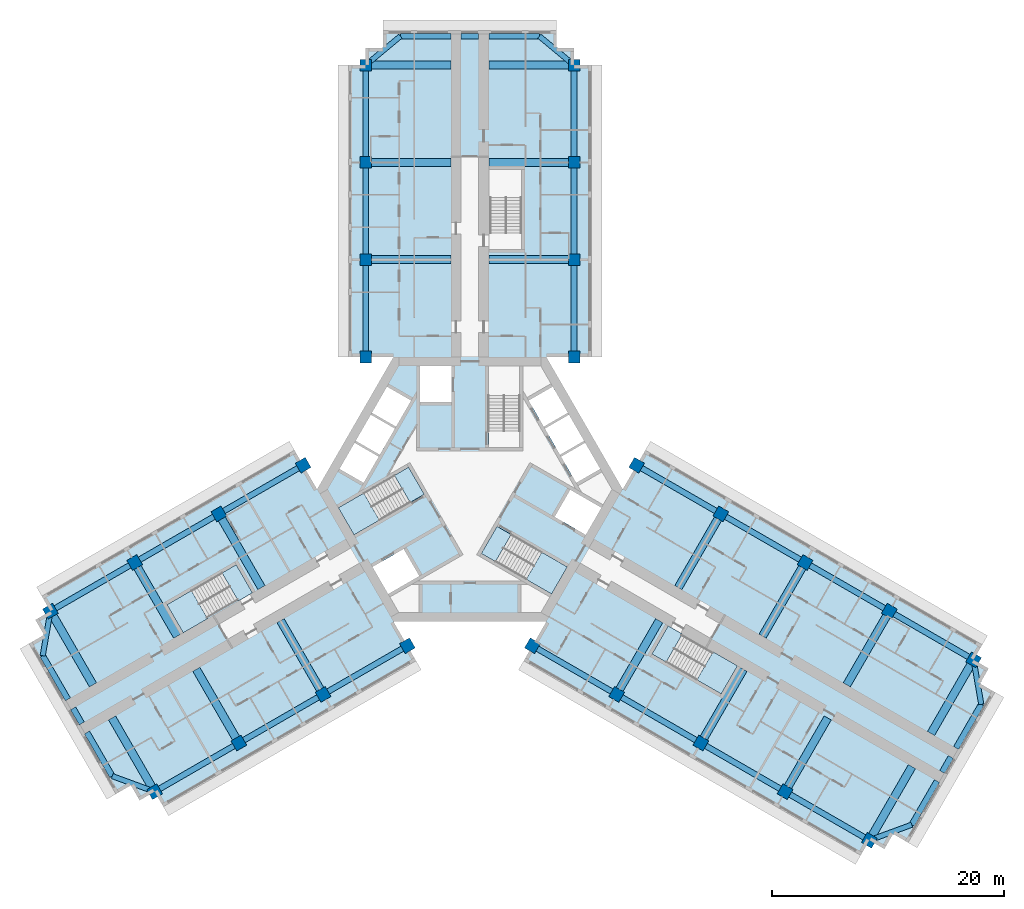
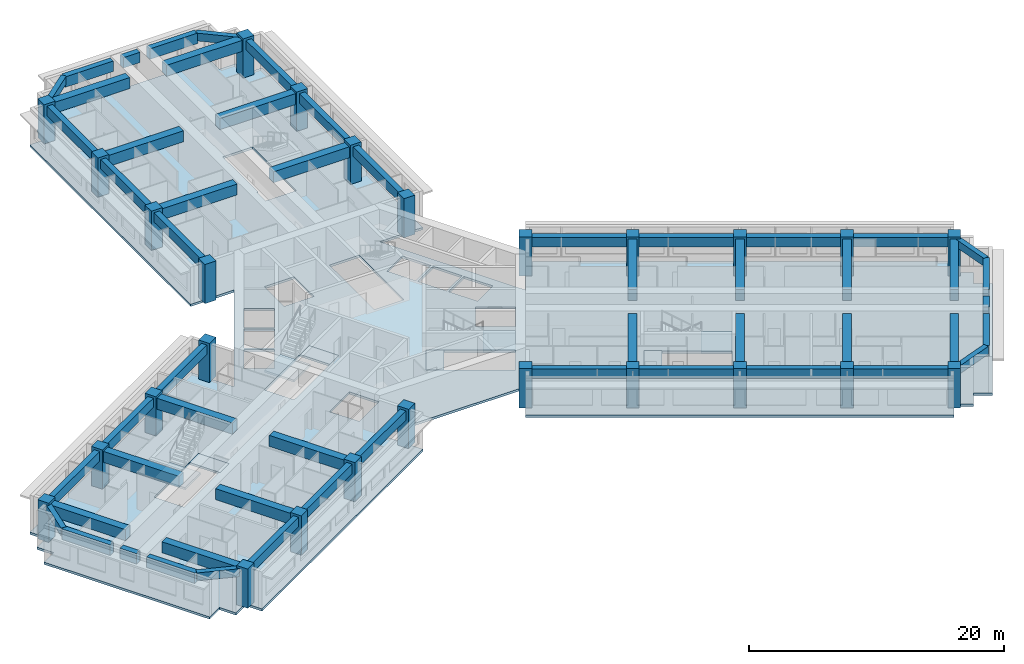
# One storey, part 1 of 13: 55 beams, 26 columns, 9 slabs, 4 elements without a shape of their own.
"""IFC4 building model written with IfcOpenShell, lengths in metres."""

from ifc_helpers import new_model, si_unit, direction, frame, origin, origin_2d, place, context, subcontext, project, spatial, polyline, rectangle, outline, extrude, material, layer, layer_set, material_profile, profile_set, type_object, element, aggregate, save


model = new_model("IFC4")

# Units and contexts
model_context = context("Model", 3, precision=1e-05, world=origin(), true_north=direction((0.0, 1.0)))
body_context = subcontext(model_context, "Body", "Model", "MODEL_VIEW")
ifc_project = project(units=[si_unit("LENGTHUNIT", "METRE"), si_unit("AREAUNIT", "SQUARE_METRE"), si_unit("VOLUMEUNIT", "CUBIC_METRE"), si_unit("PLANEANGLEUNIT", "RADIAN"), si_unit("MASSUNIT", "GRAM", prefix="KILO")], contexts=[model_context])

# Site, building, storey
site_placement = place(None, origin())
site = spatial("IfcSite", under=ifc_project, at=site_placement, CompositionType="ELEMENT")
building_placement = place(site_placement, origin())
building = spatial("IfcBuilding", under=site, at=building_placement, Name="Impinga Residences", CompositionType="ELEMENT")
storey_placement = place(building_placement, frame((0.0, 0.0, 151.0)))
storey = spatial("IfcBuildingStorey", under=building, at=storey_placement, Name="L37", CompositionType="ELEMENT", Elevation=151.0)

# Columns
ifc_material_1 = material(Name="Concrete C60/75", Category="concrete")
ifc_material_profile_1 = material_profile(ifc_material_1, rectangle(XDim=1.0, YDim=1.0, at=origin_2d()), Name="RC 1000x1000")
ifc_profile_set_1 = profile_set([ifc_material_profile_1], Name="Concrete C60/75")
column_type = type_object("IfcColumnType", Name="C3 1000x1000 column", PredefinedType="COLUMN", material=ifc_profile_set_1)
for number, where, z_axis, x_axis, name in (
    (1, (-9.0, 11.431640625, 0.0), (0.0, 0.0, 1.0), (1.0, 0.0, 0.0), "Column C3 N1/NA L37"),
    (2, (9.0, 11.431640625, 0.0), (0.0, 0.0, 1.0), (1.0, 0.0, 0.0), "Column C3 N1/NF L37"),
    (3, (-9.0, 19.83154296875, 0.0), (0.0, 0.0, 1.0), (1.0, 0.0, 0.0), "Column C3 N2/NA L37"),
    (4, (9.0, 19.83154296875, 0.0), (0.0, 0.0, 1.0), (1.0, 0.0, 0.0), "Column C3 N2/NF L37"),
    (5, (-9.0, 28.2314453125, 0.0), (0.0, 0.0, 1.0), (1.0, 0.0, 0.0), "Column C3 N3/NA L37"),
    (6, (9.0, 28.2314453125, 0.0), (0.0, 0.0, 1.0), (1.0, 0.0, 0.0), "Column C3 N3/NF L37"),
    (7, (-9.0, 36.631591796875, 0.0), (0.0, 0.0, 1.0), (1.0, 0.0, 0.0), "Column C3 N4/NA L37"),
    (8, (9.0, 36.631591796875, 0.0), (0.0, 0.0, 1.0), (1.0, 0.0, 0.0), "Column C3 N4/NF L37"),
    (9, (-5.39990234375, -13.510009765625, 0.0), (0.0, 0.0, 1.0), (-0.5, 0.866025403784, 0.0), "Column C3 W1/WA L37"),
    (10, (-14.39990234375, 2.078369140625, 0.0), (0.0, 0.0, 1.0), (-0.5, 0.866025403784, 0.0), "Column C3 W1/WF L37"),
    (11, (-12.674560546875, -17.7099609375, 0.0), (0.0, 0.0, 1.0), (-0.5, 0.866025403784, 0.0), "Column C3 W2/WA L37"),
    (12, (-21.674560546875, -2.12158203125, 0.0), (0.0, 0.0, 1.0), (-0.5, 0.866025403784, 0.0), "Column C3 W2/WF L37"),
    (13, (-19.94921875, -21.909912109375, 0.0), (0.0, 0.0, 1.0), (-0.5, 0.866025403784, 0.0), "Column C3 W3/WA L37"),
    (14, (-28.94921875, -6.321533203125, 0.0), (0.0, 0.0, 1.0), (-0.5, 0.866025403784, 0.0), "Column C3 W3/WF L37"),
    (15, (-27.223876953125, -26.110107421875, 0.0), (0.0, 0.0, 1.0), (-0.5, 0.866025403784, 0.0), "Column C3 W4/WA L37"),
    (16, (-36.223876953125, -10.521484375, 0.0), (0.0, 0.0, 1.0), (-0.5, 0.866025403784, 0.0), "Column C3 W4/WF L37"),
    (17, (14.39990234375, 2.078369140625, 0.0), (0.0, 0.0, 1.0), (-0.5, -0.866025403784, 0.0), "Column C3 E1/EA L37"),
    (18, (5.39990234375, -13.510009765625, 0.0), (0.0, 0.0, 1.0), (-0.5, -0.866025403784, 0.0), "Column C3 E1/EF L37"),
    (19, (21.674560546875, -2.12158203125, 0.0), (0.0, 0.0, 1.0), (-0.5, -0.866025403784, 0.0), "Column C3 E2/EA L37"),
    (20, (12.674560546875, -17.7099609375, 0.0), (0.0, 0.0, 1.0), (-0.5, -0.866025403784, 0.0), "Column C3 E2/EF L37"),
    (21, (28.94921875, -6.321533203125, 0.0), (0.0, 0.0, 1.0), (-0.5, -0.866025403784, 0.0), "Column C3 E3/EA L37"),
    (22, (19.94921875, -21.909912109375, 0.0), (0.0, 0.0, 1.0), (-0.5, -0.866025403784, 0.0), "Column C3 E3/EF L37"),
    (23, (36.223876953125, -10.521484375, 0.0), (0.0, 0.0, 1.0), (-0.5, -0.866025403784, 0.0), "Column C3 E4/EA L37"),
    (24, (27.223876953125, -26.110107421875, 0.0), (0.0, 0.0, 1.0), (-0.5, -0.866025403784, 0.0), "Column C3 E4/EF L37"),
    (25, (43.49853515625, -14.721435546875, 0.0), (0.0, 0.0, 1.0), (-0.5, -0.866025403784, 0.0), "Column C3 E5/EA L37"),
    (26, (34.49853515625, -30.31005859375, 0.0), (0.0, 0.0, 1.0), (-0.5, -0.866025403784, 0.0), "Column C3 E5/EF L37"),
):
    element("IfcColumn", number, at=place(storey_placement, frame(where, z_axis=z_axis, x_axis=x_axis)), inside=storey, type_object=column_type, Name=name, PredefinedType="COLUMN", context=body_context, shape_type="SweptSolid", body=[
        extrude(rectangle(XDim=1.0, YDim=1.0, at=origin_2d()), origin(), (0.0, 0.0, 1.0), 3.75),
    ])

# Beams
ifc_material_profile_2 = material_profile(ifc_material_1, rectangle(XDim=0.449951171875, YDim=0.75, at=origin_2d()), Name="RC 450x750")
ifc_profile_set_2 = profile_set([ifc_material_profile_2], Name="Concrete C60/75")
beam_type_1 = type_object("IfcBeamType", Name="CB1 450x750 wing end cantilever beam", PredefinedType="BEAM", material=ifc_profile_set_2)
for number, where, z_axis, x_axis, name in (
    (27, (-9.0, 36.631591796875, 3.155029296875), (0.768221279597, 0.640184399664, 0.0), (-0.640184399664, 0.768221279597, 0.0), "Beam CB1 NB N4-NX level L38"),
    (28, (9.0, 36.631591796875, 3.155029296875), (-0.768221279597, 0.640184399664, 0.0), (-0.640184399664, -0.768221279597, 0.0), "Beam CB1 NE N4-NX level L38"),
    (29, (-27.223876953125, -26.110107421875, 3.155029296875), (-0.938520178725, 0.345224382289, 0.0), (-0.345224382289, -0.938520178725, 0.0), "Beam CB1 WB W4-WX level L38"),
):
    element("IfcBeam", number, at=place(storey_placement, frame(where, z_axis=z_axis, x_axis=x_axis)), inside=storey, type_object=beam_type_1, Name=name, PredefinedType="BEAM", context=body_context, shape_type="SweptSolid", body=[
        extrude(rectangle(XDim=0.449951171875, YDim=0.75, at=origin_2d()), origin(), (0.0, 0.0, 1.0), 3.905029296875),
    ])
for number, where, z_axis, x_axis, name in (
    (30, (-36.223876953125, -10.521484375, 3.155029296875), (-0.170296298948, -0.985392901621, 0.0), (0.985392901621, -0.170296298948, 0.0), "Beam CB1 WE W4-WX level L38"),
    (31, (43.49853515625, -14.721435546875, 3.155029296875), (0.170296298948, -0.985392901621, 0.0), (0.985392901621, 0.170296298948, 0.0), "Beam CB1 EB E5-EX level L38"),
):
    element("IfcBeam", number, at=place(storey_placement, frame(where, z_axis=z_axis, x_axis=x_axis)), inside=storey, type_object=beam_type_1, Name=name, PredefinedType="BEAM", context=body_context, shape_type="SweptSolid", body=[
        extrude(rectangle(XDim=0.449951171875, YDim=0.75, at=origin_2d()), origin(), (0.0, 0.0, 1.0), 3.9052734375),
    ])
beam_1_placement = place(storey_placement, frame((34.49853515625, -30.31005859375, 3.155029296875), z_axis=(0.938520178725, 0.345224382289, 0.0), x_axis=(-0.345224382289, 0.938520178725, 0.0)))
element("IfcBeam", 32, at=beam_1_placement, inside=storey, type_object=beam_type_1, Name="Beam CB1 EE E5-EX level L38", PredefinedType="BEAM", context=body_context, shape_type="SweptSolid", body=[
    extrude(rectangle(XDim=0.449951171875, YDim=0.75, at=origin_2d()), origin(), (0.0, 0.0, 1.0), 3.905029296875),
])
ifc_material_profile_3 = material_profile(ifc_material_1, rectangle(XDim=0.699951171875, YDim=1.050048828125, at=origin_2d()), Name="RC 700x1050")
ifc_profile_set_3 = profile_set([ifc_material_profile_3], Name="Concrete C60/75")
beam_type_2 = type_object("IfcBeamType", Name="CG1 700x1050 cross girder on a wing bay line", PredefinedType="BEAM", material=ifc_profile_set_3)
for number, where, z_axis, x_axis, name in (
    (33, (-1.64990234375, 19.83154296875, 3.0048828125), (-1.0, 0.0, 0.0), (0.0, -1.0, 0.0), "Beam CG1 N2 NC/NA level L38"),
    (34, (-1.64990234375, 28.2314453125, 3.0048828125), (-1.0, 0.0, 0.0), (0.0, -1.0, 0.0), "Beam CG1 N3 NC/NA level L38"),
    (35, (-1.64990234375, 36.631591796875, 3.0048828125), (-1.0, 0.0, 0.0), (0.0, -1.0, 0.0), "Beam CG1 N4 NC/NA level L38"),
    (36, (1.64990234375, 19.83154296875, 3.0048828125), (1.0, 0.0, 0.0), (0.0, 1.0, 0.0), "Beam CG1 N2 NC/NF level L38"),
    (37, (1.64990234375, 28.2314453125, 3.0048828125), (1.0, 0.0, 0.0), (0.0, 1.0, 0.0), "Beam CG1 N3 NC/NF level L38"),
    (38, (1.64990234375, 36.631591796875, 3.0048828125), (1.0, 0.0, 0.0), (0.0, 1.0, 0.0), "Beam CG1 N4 NC/NF level L38"),
    (39, (-16.349609375, -11.3447265625, 3.0048828125), (0.500008066151, -0.86602074674, 0.0), (0.86602074674, 0.500008066151, 0.0), "Beam CG1 W2 WC/WA level L38"),
    (40, (-23.624267578125, -15.544677734375, 3.0048828125), (0.500008066151, -0.86602074674, 0.0), (0.86602074674, 0.500008066151, 0.0), "Beam CG1 W3 WC/WA level L38"),
    (41, (-30.89892578125, -19.74462890625, 3.0048828125), (0.499993683172, -0.866029050776, 0.0), (0.866029050776, 0.499993683172, 0.0), "Beam CG1 W4 WC/WA level L38"),
    (42, (-17.99951171875, -8.48681640625, 3.0048828125), (-0.500008066151, 0.86602074674, 0.0), (-0.86602074674, -0.500008066151, 0.0), "Beam CG1 W2 WC/WF level L38"),
    (43, (-25.274169921875, -12.686767578125, 3.0048828125), (-0.500008066151, 0.86602074674, 0.0), (-0.86602074674, -0.500008066151, 0.0), "Beam CG1 W3 WC/WF level L38"),
    (44, (-32.548828125, -16.88671875, 3.0048828125), (-0.500008066151, 0.86602074674, 0.0), (-0.86602074674, -0.500008066151, 0.0), "Beam CG1 W4 WC/WF level L38"),
    (45, (17.99951171875, -8.48681640625, 3.0048828125), (0.500008066151, 0.86602074674, 0.0), (-0.86602074674, 0.500008066151, 0.0), "Beam CG1 E2 EC/EA level L38"),
    (46, (25.274169921875, -12.686767578125, 3.0048828125), (0.500008066151, 0.86602074674, 0.0), (-0.86602074674, 0.500008066151, 0.0), "Beam CG1 E3 EC/EA level L38"),
    (47, (32.548828125, -16.88671875, 3.0048828125), (0.500008066151, 0.86602074674, 0.0), (-0.86602074674, 0.500008066151, 0.0), "Beam CG1 E4 EC/EA level L38"),
    (48, (39.823486328125, -21.0869140625, 3.0048828125), (0.499993683172, 0.866029050776, 0.0), (-0.866029050776, 0.499993683172, 0.0), "Beam CG1 E5 EC/EA level L38"),
    (49, (16.349609375, -11.3447265625, 3.0048828125), (-0.500008066151, -0.86602074674, 0.0), (0.86602074674, -0.500008066151, 0.0), "Beam CG1 E2 EC/EF level L38"),
    (50, (23.624267578125, -15.544677734375, 3.0048828125), (-0.500008066151, -0.86602074674, 0.0), (0.86602074674, -0.500008066151, 0.0), "Beam CG1 E3 EC/EF level L38"),
    (51, (30.89892578125, -19.74462890625, 3.0048828125), (-0.499993683172, -0.866029050776, 0.0), (0.866029050776, -0.499993683172, 0.0), "Beam CG1 E4 EC/EF level L38"),
):
    element("IfcBeam", number, at=place(storey_placement, frame(where, z_axis=z_axis, x_axis=x_axis)), inside=storey, type_object=beam_type_2, Name=name, PredefinedType="BEAM", context=body_context, shape_type="SweptSolid", body=[
        extrude(rectangle(XDim=0.699951171875, YDim=1.050048828125, at=origin_2d()), origin(), (0.0, 0.0, 1.0), 7.35009765625),
    ])
beam_2_placement = place(storey_placement, frame((38.17333984375, -23.94482421875, 3.0048828125), z_axis=(-0.499983153418, -0.866035129944, 0.0), x_axis=(0.866035129944, -0.499983153418, 0.0)))
element("IfcBeam", 52, at=beam_2_placement, inside=storey, type_object=beam_type_2, Name="Beam CG1 E5 EC/EF level L38", PredefinedType="BEAM", context=body_context, shape_type="SweptSolid", body=[
    extrude(rectangle(XDim=0.699951171875, YDim=1.050048828125, at=origin_2d()), origin(), (0.0, 0.0, 1.0), 7.349853515625),
])
ifc_material_profile_4 = material_profile(ifc_material_1, rectangle(XDim=0.5, YDim=1.0, at=origin_2d()), Name="RC 500x1000")
ifc_profile_set_4 = profile_set([ifc_material_profile_4], Name="Concrete C60/75")
beam_type_3 = type_object("IfcBeamType", Name="EB1 500x1000 wing end beam", PredefinedType="BEAM", material=ifc_profile_set_4)
beam_3_placement = place(storey_placement, frame((-6.0, 39.131591796875, 3.030029296875), z_axis=(1.0, 0.0, 0.0), x_axis=(0.0, 1.0, 0.0)))
element("IfcBeam", 53, at=beam_3_placement, inside=storey, type_object=beam_type_3, Name="Beam EB1 NX3 level L38", PredefinedType="BEAM", context=body_context, shape_type="SweptSolid", body=[
    extrude(rectangle(XDim=0.5, YDim=1.0, at=origin_2d()), origin(), (0.0, 0.0, 1.0), 4.35009765625),
])
beam_4_placement = place(storey_placement, frame((-0.75, 39.131591796875, 3.030029296875), z_axis=(1.0, 0.0, 0.0), x_axis=(0.0, 1.0, 0.0)))
element("IfcBeam", 54, at=beam_4_placement, inside=storey, type_object=beam_type_3, Name="Beam EB1 NX3 level L38", PredefinedType="BEAM", context=body_context, shape_type="SweptSolid", body=[
    extrude(rectangle(XDim=0.5, YDim=1.0, at=origin_2d()), origin(), (0.0, 0.0, 1.0), 1.5),
])
for number, where, z_axis, x_axis, name in (
    (55, (1.64990234375, 39.131591796875, 3.030029296875), (1.0, 0.0, 0.0), (0.0, 1.0, 0.0), "Beam EB1 NX3 level L38"),
    (56, (-30.888916015625, -24.761962890625, 3.030029296875), (-0.499996127374, 0.866027639635, 0.0), (-0.866027639635, -0.499996127374, 0.0), "Beam EB1 WX3 level L38"),
):
    element("IfcBeam", number, at=place(storey_placement, frame(where, z_axis=z_axis, x_axis=x_axis)), inside=storey, type_object=beam_type_3, Name=name, PredefinedType="BEAM", context=body_context, shape_type="SweptSolid", body=[
        extrude(rectangle(XDim=0.5, YDim=1.0, at=origin_2d()), origin(), (0.0, 0.0, 1.0), 4.35009765625),
    ])
beam_5_placement = place(storey_placement, frame((-33.513916015625, -20.21533203125, 3.030029296875), z_axis=(-0.499990139034, 0.866031096941, 0.0), x_axis=(-0.866031096941, -0.499990139034, 0.0)))
element("IfcBeam", 57, at=beam_5_placement, inside=storey, type_object=beam_type_3, Name="Beam EB1 WX3 level L38", PredefinedType="BEAM", context=body_context, shape_type="SweptSolid", body=[
    extrude(rectangle(XDim=0.5, YDim=1.0, at=origin_2d()), origin(), (0.0, 0.0, 1.0), 1.5),
])
beam_6_placement = place(storey_placement, frame((-34.7138671875, -18.13671875, 3.030029296875), z_axis=(-0.500020430026, 0.866013608182, 0.0), x_axis=(-0.866013608182, -0.500020430026, 0.0)))
element("IfcBeam", 58, at=beam_6_placement, inside=storey, type_object=beam_type_3, Name="Beam EB1 WX3 level L38", PredefinedType="BEAM", context=body_context, shape_type="SweptSolid", body=[
    extrude(rectangle(XDim=0.5, YDim=1.0, at=origin_2d()), origin(), (0.0, 0.0, 1.0), 4.349853515625),
])
beam_7_placement = place(storey_placement, frame((44.16357421875, -18.569580078125, 3.030029296875), z_axis=(-0.499996127374, -0.866027639635, 0.0), x_axis=(0.866027639635, -0.499996127374, 0.0)))
element("IfcBeam", 59, at=beam_7_placement, inside=storey, type_object=beam_type_3, Name="Beam EB1 EX4 level L38", PredefinedType="BEAM", context=body_context, shape_type="SweptSolid", body=[
    extrude(rectangle(XDim=0.5, YDim=1.0, at=origin_2d()), origin(), (0.0, 0.0, 1.0), 4.35009765625),
])
beam_8_placement = place(storey_placement, frame((41.53857421875, -23.1162109375, 3.030029296875), z_axis=(-0.499990139034, -0.866031096941, 0.0), x_axis=(0.866031096941, -0.499990139034, 0.0)))
element("IfcBeam", 60, at=beam_8_placement, inside=storey, type_object=beam_type_3, Name="Beam EB1 EX4 level L38", PredefinedType="BEAM", context=body_context, shape_type="SweptSolid", body=[
    extrude(rectangle(XDim=0.5, YDim=1.0, at=origin_2d()), origin(), (0.0, 0.0, 1.0), 1.5),
])
beam_9_placement = place(storey_placement, frame((40.338623046875, -25.19482421875, 3.030029296875), z_axis=(-0.500020430026, -0.866013608182, 0.0), x_axis=(0.866013608182, -0.500020430026, 0.0)))
element("IfcBeam", 61, at=beam_9_placement, inside=storey, type_object=beam_type_3, Name="Beam EB1 EX4 level L38", PredefinedType="BEAM", context=body_context, shape_type="SweptSolid", body=[
    extrude(rectangle(XDim=0.5, YDim=1.0, at=origin_2d()), origin(), (0.0, 0.0, 1.0), 4.349853515625),
])
ifc_material_profile_5 = material_profile(ifc_material_1, rectangle(XDim=0.5, YDim=0.89990234375, at=origin_2d()), Name="RC 500x900")
ifc_profile_set_5 = profile_set([ifc_material_profile_5], Name="Concrete C60/75")
beam_type_4 = type_object("IfcBeamType", Name="SB1 500x900 perimeter spandrel beam", PredefinedType="SPANDREL", material=ifc_profile_set_5)
for number, where, z_axis, x_axis, name in (
    (62, (-9.0, 11.431640625, 3.080078125), (0.0, 1.0, 0.0), (-1.0, 0.0, 0.0), "Beam SB1 NA N1-N2 level L38"),
    (63, (-9.0, 19.83154296875, 3.080078125), (0.0, 1.0, 0.0), (-1.0, 0.0, 0.0), "Beam SB1 NA N2-N3 level L38"),
):
    element("IfcBeam", number, at=place(storey_placement, frame(where, z_axis=z_axis, x_axis=x_axis)), inside=storey, type_object=beam_type_4, Name=name, PredefinedType="SPANDREL", context=body_context, shape_type="SweptSolid", body=[
        extrude(rectangle(XDim=0.5, YDim=0.89990234375, at=origin_2d()), origin(), (0.0, 0.0, 1.0), 8.39990234375),
    ])
beam_10_placement = place(storey_placement, frame((-9.0, 28.2314453125, 3.080078125), z_axis=(0.0, 1.0, 0.0), x_axis=(-1.0, 0.0, 0.0)))
element("IfcBeam", 64, at=beam_10_placement, inside=storey, type_object=beam_type_4, Name="Beam SB1 NA N3-N4 level L38", PredefinedType="SPANDREL", context=body_context, shape_type="SweptSolid", body=[
    extrude(rectangle(XDim=0.5, YDim=0.89990234375, at=origin_2d()), origin(), (0.0, 0.0, 1.0), 8.400146484375),
])
for number, where, z_axis, x_axis, name in (
    (65, (9.0, 11.431640625, 3.080078125), (0.0, 1.0, 0.0), (-1.0, 0.0, 0.0), "Beam SB1 NF N1-N2 level L38"),
    (66, (9.0, 19.83154296875, 3.080078125), (0.0, 1.0, 0.0), (-1.0, 0.0, 0.0), "Beam SB1 NF N2-N3 level L38"),
):
    element("IfcBeam", number, at=place(storey_placement, frame(where, z_axis=z_axis, x_axis=x_axis)), inside=storey, type_object=beam_type_4, Name=name, PredefinedType="SPANDREL", context=body_context, shape_type="SweptSolid", body=[
        extrude(rectangle(XDim=0.5, YDim=0.89990234375, at=origin_2d()), origin(), (0.0, 0.0, 1.0), 8.39990234375),
    ])
beam_11_placement = place(storey_placement, frame((9.0, 28.2314453125, 3.080078125), z_axis=(0.0, 1.0, 0.0), x_axis=(-1.0, 0.0, 0.0)))
element("IfcBeam", 67, at=beam_11_placement, inside=storey, type_object=beam_type_4, Name="Beam SB1 NF N3-N4 level L38", PredefinedType="SPANDREL", context=body_context, shape_type="SweptSolid", body=[
    extrude(rectangle(XDim=0.5, YDim=0.89990234375, at=origin_2d()), origin(), (0.0, 0.0, 1.0), 8.400146484375),
])
for number, where, z_axis, x_axis, name in (
    (68, (-5.39990234375, -13.510009765625, 3.080078125), (-0.86602925447, -0.499993330357, 0.0), (0.499993330357, -0.86602925447, 0.0), "Beam SB1 WA W1-W2 level L38"),
    (69, (-12.674560546875, -17.7099609375, 3.080078125), (-0.86602925447, -0.499993330357, 0.0), (0.499993330357, -0.86602925447, 0.0), "Beam SB1 WA W2-W3 level L38"),
):
    element("IfcBeam", number, at=place(storey_placement, frame(where, z_axis=z_axis, x_axis=x_axis)), inside=storey, type_object=beam_type_4, Name=name, PredefinedType="SPANDREL", context=body_context, shape_type="SweptSolid", body=[
        extrude(rectangle(XDim=0.5, YDim=0.89990234375, at=origin_2d()), origin(), (0.0, 0.0, 1.0), 8.39990234375),
    ])
beam_12_placement = place(storey_placement, frame((-19.94921875, -21.909912109375, 3.080078125), z_axis=(-0.866016669275, -0.500015128309, 0.0), x_axis=(0.500015128309, -0.866016669275, 0.0)))
element("IfcBeam", 70, at=beam_12_placement, inside=storey, type_object=beam_type_4, Name="Beam SB1 WA W3-W4 level L38", PredefinedType="SPANDREL", context=body_context, shape_type="SweptSolid", body=[
    extrude(rectangle(XDim=0.5, YDim=0.89990234375, at=origin_2d()), origin(), (0.0, 0.0, 1.0), 8.400146484375),
])
for number, where, z_axis, x_axis, name in (
    (71, (-14.39990234375, 2.078369140625, 3.080078125), (-0.86602925447, -0.499993330357, 0.0), (0.499993330357, -0.86602925447, 0.0), "Beam SB1 WF W1-W2 level L38"),
    (72, (-21.674560546875, -2.12158203125, 3.080078125), (-0.86602925447, -0.499993330357, 0.0), (0.499993330357, -0.86602925447, 0.0), "Beam SB1 WF W2-W3 level L38"),
    (73, (-28.94921875, -6.321533203125, 3.080078125), (-0.86602925447, -0.499993330357, 0.0), (0.499993330357, -0.86602925447, 0.0), "Beam SB1 WF W3-W4 level L38"),
    (74, (14.39990234375, 2.078369140625, 3.080078125), (0.86602925447, -0.499993330357, 0.0), (0.499993330357, 0.86602925447, 0.0), "Beam SB1 EA E1-E2 level L38"),
    (75, (21.674560546875, -2.12158203125, 3.080078125), (0.86602925447, -0.499993330357, 0.0), (0.499993330357, 0.86602925447, 0.0), "Beam SB1 EA E2-E3 level L38"),
    (76, (28.94921875, -6.321533203125, 3.080078125), (0.86602925447, -0.499993330357, 0.0), (0.499993330357, 0.86602925447, 0.0), "Beam SB1 EA E3-E4 level L38"),
    (77, (36.223876953125, -10.521484375, 3.080078125), (0.86602925447, -0.499993330357, 0.0), (0.499993330357, 0.86602925447, 0.0), "Beam SB1 EA E4-E5 level L38"),
    (78, (5.39990234375, -13.510009765625, 3.080078125), (0.86602925447, -0.499993330357, 0.0), (0.499993330357, 0.86602925447, 0.0), "Beam SB1 EF E1-E2 level L38"),
    (79, (12.674560546875, -17.7099609375, 3.080078125), (0.86602925447, -0.499993330357, 0.0), (0.499993330357, 0.86602925447, 0.0), "Beam SB1 EF E2-E3 level L38"),
):
    element("IfcBeam", number, at=place(storey_placement, frame(where, z_axis=z_axis, x_axis=x_axis)), inside=storey, type_object=beam_type_4, Name=name, PredefinedType="SPANDREL", context=body_context, shape_type="SweptSolid", body=[
        extrude(rectangle(XDim=0.5, YDim=0.89990234375, at=origin_2d()), origin(), (0.0, 0.0, 1.0), 8.39990234375),
    ])
beam_13_placement = place(storey_placement, frame((19.94921875, -21.909912109375, 3.080078125), z_axis=(0.866016669275, -0.500015128309, 0.0), x_axis=(0.500015128309, 0.866016669275, 0.0)))
element("IfcBeam", 80, at=beam_13_placement, inside=storey, type_object=beam_type_4, Name="Beam SB1 EF E3-E4 level L38", PredefinedType="SPANDREL", context=body_context, shape_type="SweptSolid", body=[
    extrude(rectangle(XDim=0.5, YDim=0.89990234375, at=origin_2d()), origin(), (0.0, 0.0, 1.0), 8.400146484375),
])
beam_14_placement = place(storey_placement, frame((27.223876953125, -26.110107421875, 3.080078125), z_axis=(0.86602925447, -0.499993330357, 0.0), x_axis=(0.499993330357, 0.86602925447, 0.0)))
element("IfcBeam", 81, at=beam_14_placement, inside=storey, type_object=beam_type_4, Name="Beam SB1 EF E4-E5 level L38", PredefinedType="SPANDREL", context=body_context, shape_type="SweptSolid", body=[
    extrude(rectangle(XDim=0.5, YDim=0.89990234375, at=origin_2d()), origin(), (0.0, 0.0, 1.0), 8.39990234375),
])

# Slab
ifc_layer_1 = layer(ifc_material_1, 0.219970703125)
ifc_layer_set_1 = layer_set([ifc_layer_1], Name="Concrete C60/75")
slab_type_1 = type_object("IfcSlabType", Name="FS1 tower floor slab 220", PredefinedType="FLOOR", material=ifc_layer_set_1)
slab_1_placement = place(storey_placement, frame((0.0, 0.0, -0.219970703125)))
element("IfcSlab", 82, at=slab_1_placement, inside=storey, type_object=slab_type_1, Name="Floor slab FS1 L37", PredefinedType="FLOOR", context=body_context, shape_type="SweptSolid", body=[
    extrude(outline(polyline([(43.49853515625, -14.721435546875), (44.797607421875, -15.471435546875), (44.047607421875, -16.7705078125), (45.346435546875, -17.5205078125), (37.846435546875, -30.510986328125), (36.547607421875, -29.760986328125), (35.797607421875, -31.06005859375), (34.49853515625, -30.31005859375), (33.74853515625, -31.609130859375), (4.64990234375, -14.80908203125), (9.900146484375, -5.7158203125), (6.60009765625, -11.431640625), (-6.60009765625, -11.431640625), (-9.900146484375, -5.7158203125), (-4.64990234375, -14.80908203125), (-26.473876953125, -27.408935546875), (-27.223876953125, -26.110107421875), (-28.52294921875, -26.860107421875), (-29.27294921875, -25.56103515625), (-30.572021484375, -26.31103515625), (-38.072021484375, -13.320556640625), (-36.77294921875, -12.570556640625), (-37.52294921875, -11.271484375), (-36.223876953125, -10.521484375), (-36.973876953125, -9.222412109375), (-15.14990234375, 3.37744140625), (-13.199951171875, 0.0), (-6.60009765625, 11.431640625), (-10.5, 11.431640625), (-10.5, 36.631591796875), (-9.0, 36.631591796875), (-9.0, 38.131591796875), (-7.5, 38.131591796875), (-7.5, 39.631591796875), (7.5, 39.631591796875), (7.5, 38.131591796875), (9.0, 38.131591796875), (9.0, 36.631591796875), (10.5, 36.631591796875), (10.5, 11.431640625), (6.60009765625, 11.431640625), (13.199951171875, 0.0), (15.14990234375, 3.37744140625), (44.24853515625, -13.422607421875), (43.49853515625, -14.721435546875)]), holes=[polyline([(-18.779052734375, -8.936767578125), (-18.8291015625, -8.850341796875), (-18.8291015625, -8.850341796875), (-20.178955078125, -6.511962890625), (-21.391357421875, -7.2119140625), (-21.391357421875, -7.2119140625), (-26.154541015625, -9.9619140625), (-24.8046875, -12.30029296875), (-20.04150390625, -9.55029296875), (-19.991455078125, -9.63671875), (-18.779052734375, -8.936767578125)]), polyline([(-4.37109375, -7.489013671875), (-5.72119140625, -5.150634765625), (-8.4072265625, -6.701416015625), (-7.05712890625, -9.039794921875), (-4.37109375, -7.489013671875)]), polyline([(-3.943603515625, -0.429443359375), (-5.293701171875, 1.908935546875), (-11.357177734375, -1.591796875), (-10.007080078125, -3.93017578125), (-3.943603515625, -0.429443359375)]), polyline([(-7.878662109375, 2.816650390625), (-9.957275390625, 4.016845703125), (-11.257080078125, 1.76513671875), (-9.1787109375, 0.56494140625), (-7.878662109375, 2.816650390625)]), polyline([(-6.478759765625, 5.24169921875), (-8.55712890625, 6.441650390625), (-9.857177734375, 4.18994140625), (-7.77880859375, 2.989990234375), (-6.478759765625, 5.24169921875)]), polyline([(4.300048828125, 3.6298828125), (4.300048828125, 10.631591796875), (1.60009765625, 10.631591796875), (1.60009765625, 3.6298828125), (4.300048828125, 3.6298828125)]), polyline([(-6.378662109375, 5.414794921875), (-5.07861328125, 7.66650390625), (-7.1572265625, 8.866455078125), (-8.457275390625, 6.61474609375), (-6.378662109375, 5.414794921875)]), polyline([(-4.300048828125, 7.530029296875), (-1.60009765625, 7.530029296875), (-1.60009765625, 10.631591796875), (-4.300048828125, 10.631591796875), (-4.300048828125, 7.530029296875)]), polyline([(4.449951171875, 20.7314453125), (4.449951171875, 22.131591796875), (4.449951171875, 27.631591796875), (1.75, 27.631591796875), (1.75, 22.131591796875), (1.64990234375, 22.131591796875), (1.64990234375, 20.7314453125), (1.75, 20.7314453125), (4.449951171875, 20.7314453125)]), polyline([(15.72900390625, -14.219482421875), (21.70458984375, -17.669677734375), (23.0546875, -15.331298828125), (18.29150390625, -12.581298828125), (18.341552734375, -12.49462890625), (17.129150390625, -11.794677734375), (15.72900390625, -14.219482421875)]), polyline([(2.34375, -3.20068359375), (0.99365234375, -5.538818359375), (7.05712890625, -9.039794921875), (8.4072265625, -6.701416015625), (2.34375, -3.20068359375)]), polyline([(7.3212890625, -2.37939453125), (10.007080078125, -3.93017578125), (11.357177734375, -1.591796875), (8.671142578125, -0.041015625), (7.3212890625, -2.37939453125)]), polyline([(7.878662109375, 2.816650390625), (9.1787109375, 0.56494140625), (11.257080078125, 1.76513671875), (9.957275390625, 4.016845703125), (7.878662109375, 2.816650390625)]), polyline([(6.478759765625, 5.24169921875), (7.77880859375, 2.989990234375), (9.857177734375, 4.18994140625), (8.55712890625, 6.441650390625), (6.478759765625, 5.24169921875)]), polyline([(6.378662109375, 5.414794921875), (8.457275390625, 6.61474609375), (7.1572265625, 8.866455078125), (5.07861328125, 7.66650390625), (6.378662109375, 5.414794921875)])]), origin(), (0.0, 0.0, 1.0), 0.219970703125),
])

# Stair, slabs
ifc_material_2 = material(Name="Concrete C40/50", Category="concrete")
stair_type_1 = type_object("IfcStairType", Name="STR core stair 3750 storey, 24 risers", PredefinedType="HALF_TURN_STAIR", material=ifc_material_2)
stair_1_placement = place(storey_placement, origin())
stair_1 = element("IfcStair", 83, at=stair_1_placement, inside=storey, type_object=stair_type_1, Name="Stair ST2 L37", PredefinedType="HALF_TURN_STAIR")
ifc_layer_2 = layer(ifc_material_2, 0.199951171875)
ifc_layer_set_2 = layer_set([ifc_layer_2], Name="Concrete C40/50")
slab_type_2 = type_object("IfcSlabType", Name="LS1 stair landing 200", PredefinedType="LANDING", material=ifc_layer_set_2)
slab_2_placement = place(storey_placement, frame((0.0, 0.0, -0.199951171875)))
slab_2 = element("IfcSlab", 84, at=slab_2_placement, type_object=slab_type_2, Name="ST2 landing 1", PredefinedType="LANDING", context=body_context, shape_type="SweptSolid", body=[
    extrude(outline(polyline([(-3.943603515625, -0.429443359375), (-5.293701171875, 1.908935546875), (-6.5146484375, 1.203857421875), (-5.164794921875, -1.13427734375), (-3.943603515625, -0.429443359375)])), origin(), (0.0, 0.0, 1.0), 0.199951171875),
])
slab_3_placement = place(storey_placement, frame((0.0, 0.0, 1.675048828125)))
slab_3 = element("IfcSlab", 85, at=slab_3_placement, type_object=slab_type_2, Name="ST2 landing 2", PredefinedType="LANDING", context=body_context, shape_type="SweptSolid", body=[
    extrude(outline(polyline([(-7.814697265625, -2.664306640625), (-9.164794921875, -0.326171875), (-11.357177734375, -1.591796875), (-10.007080078125, -3.93017578125), (-7.814697265625, -2.664306640625)])), origin(), (0.0, 0.0, 1.0), 0.199951171875),
])
aggregate(stair_1, [slab_2, slab_3])

stair_2_placement = place(storey_placement, origin())
stair_2 = element("IfcStair", 86, at=stair_2_placement, inside=storey, type_object=stair_type_1, Name="Stair ST3 L37", PredefinedType="HALF_TURN_STAIR")
slab_4_placement = place(storey_placement, frame((0.0, 0.0, -0.199951171875)))
slab_4 = element("IfcSlab", 87, at=slab_4_placement, type_object=slab_type_2, Name="ST3 landing 1", PredefinedType="LANDING", context=body_context, shape_type="SweptSolid", body=[
    extrude(outline(polyline([(2.34375, -3.20068359375), (0.99365234375, -5.538818359375), (2.21484375, -6.243896484375), (3.564697265625, -3.90576171875), (2.34375, -3.20068359375)])), origin(), (0.0, 0.0, 1.0), 0.199951171875),
])
slab_5_placement = place(storey_placement, frame((0.0, 0.0, 1.675048828125)))
slab_5 = element("IfcSlab", 88, at=slab_5_placement, type_object=slab_type_2, Name="ST3 landing 2", PredefinedType="LANDING", context=body_context, shape_type="SweptSolid", body=[
    extrude(outline(polyline([(6.21484375, -5.435546875), (4.86474609375, -7.77392578125), (7.05712890625, -9.039794921875), (8.4072265625, -6.701416015625), (6.21484375, -5.435546875)])), origin(), (0.0, 0.0, 1.0), 0.199951171875),
])
aggregate(stair_2, [slab_4, slab_5])

stair_type_2 = type_object("IfcStairType", Name="STR wing stair 3750 storey, 24 risers", PredefinedType="HALF_TURN_STAIR", material=ifc_material_2)
stair_3_placement = place(storey_placement, origin())
stair_3 = element("IfcStair", 89, at=stair_3_placement, inside=storey, type_object=stair_type_2, Name="Stair WS2 L37", PredefinedType="HALF_TURN_STAIR")
slab_6_placement = place(storey_placement, frame((0.0, 0.0, -0.199951171875)))
slab_6 = element("IfcSlab", 90, at=slab_6_placement, type_object=slab_type_2, Name="WS2 landing 1", PredefinedType="LANDING", context=body_context, shape_type="SweptSolid", body=[
    extrude(outline(polyline([(-18.779052734375, -8.936767578125), (-20.178955078125, -6.511962890625), (-21.400146484375, -7.217041015625), (-20.000244140625, -9.641845703125), (-18.779052734375, -8.936767578125)])), origin(), (0.0, 0.0, 1.0), 0.199951171875),
])
slab_7_placement = place(storey_placement, frame((0.0, 0.0, 1.675048828125)))
slab_7 = element("IfcSlab", 91, at=slab_7_placement, type_object=slab_type_2, Name="WS2 landing 2", PredefinedType="LANDING", context=body_context, shape_type="SweptSolid", body=[
    extrude(outline(polyline([(-22.650146484375, -11.171875), (-24.050048828125, -8.7470703125), (-26.154541015625, -9.9619140625), (-24.754638671875, -12.38671875), (-22.650146484375, -11.171875)])), origin(), (0.0, 0.0, 1.0), 0.199951171875),
])
aggregate(stair_3, [slab_6, slab_7])

stair_4_placement = place(storey_placement, origin())
stair_4 = element("IfcStair", 92, at=stair_4_placement, inside=storey, type_object=stair_type_2, Name="Stair WS3 L37", PredefinedType="HALF_TURN_STAIR")
slab_8_placement = place(storey_placement, frame((0.0, 0.0, -0.199951171875)))
slab_8 = element("IfcSlab", 93, at=slab_8_placement, type_object=slab_type_2, Name="WS3 landing 1", PredefinedType="LANDING", context=body_context, shape_type="SweptSolid", body=[
    extrude(outline(polyline([(17.129150390625, -11.794677734375), (15.72900390625, -14.219482421875), (16.9501953125, -14.924560546875), (18.35009765625, -12.499755859375), (17.129150390625, -11.794677734375)])), origin(), (0.0, 0.0, 1.0), 0.199951171875),
])
slab_9_placement = place(storey_placement, frame((0.0, 0.0, 1.675048828125)))
slab_9 = element("IfcSlab", 94, at=slab_9_placement, type_object=slab_type_2, Name="WS3 landing 2", PredefinedType="LANDING", context=body_context, shape_type="SweptSolid", body=[
    extrude(outline(polyline([(21.000244140625, -14.02978515625), (19.60009765625, -16.45458984375), (21.70458984375, -17.669677734375), (23.1044921875, -15.24462890625), (21.000244140625, -14.02978515625)])), origin(), (0.0, 0.0, 1.0), 0.199951171875),
])
aggregate(stair_4, [slab_8, slab_9])

save(model, "model.ifc")
